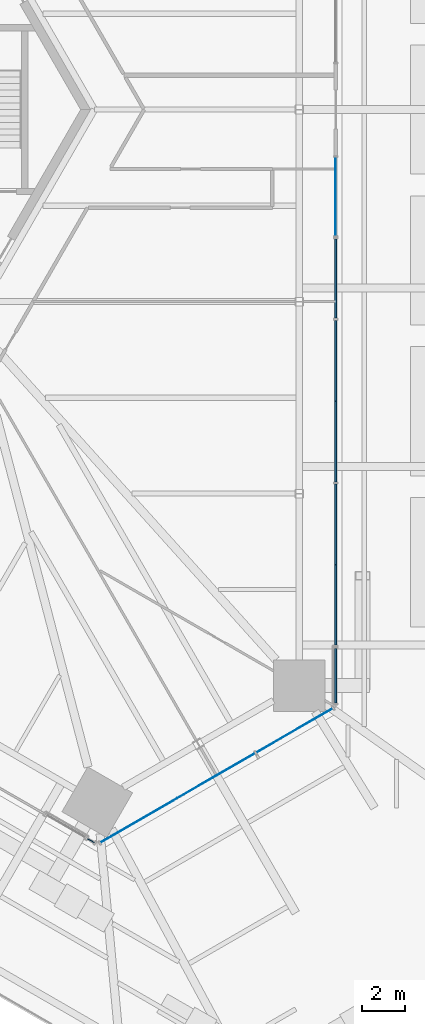
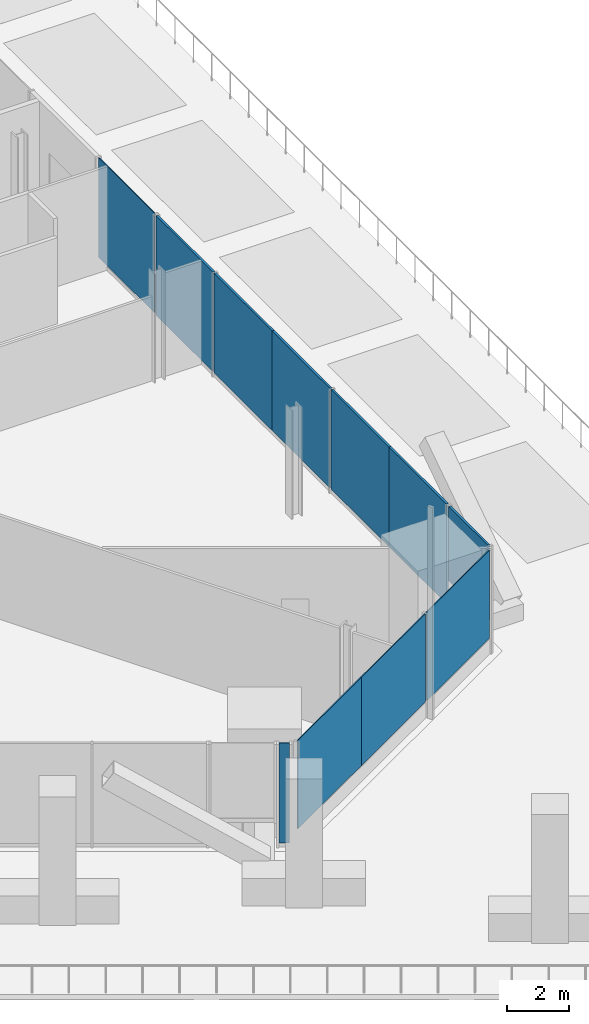
# One storey, part 23 of 38: 11 plates, 5 elements without a shape of their own.
"""IFC4 building model written with IfcOpenShell, lengths in metres."""

from ifc_helpers import new_model, si_unit, direction, frame, origin, origin_2d, place, context, subcontext, project, spatial, rectangle, extrude, source, transform, mapped, material, layer, layer_set, type_object, element, aggregate, save


model = new_model("IFC4")

# Units and contexts
model_context = context("Model", 3, precision=1e-05, world=origin(), true_north=direction((0.0, 1.0)))
body_context = subcontext(model_context, "Body", "Model", "MODEL_VIEW")
ifc_project = project(units=[si_unit("LENGTHUNIT", "METRE"), si_unit("AREAUNIT", "SQUARE_METRE"), si_unit("VOLUMEUNIT", "CUBIC_METRE"), si_unit("PLANEANGLEUNIT", "RADIAN"), si_unit("MASSUNIT", "GRAM", prefix="KILO")], contexts=[model_context])

# Site, building, storey
site_placement = place(None, origin())
site = spatial("IfcSite", under=ifc_project, at=site_placement, CompositionType="ELEMENT")
building_placement = place(site_placement, origin())
building = spatial("IfcBuilding", under=site, at=building_placement, Name="Triune Harvest Tower", CompositionType="ELEMENT")
storey_placement = place(building_placement, frame((0.0, 0.0, 16.0)))
storey = spatial("IfcBuildingStorey", under=building, at=storey_placement, Name="L03", CompositionType="ELEMENT", Elevation=16.0)

# Curtain wall, plate
ifc_material_1 = material(Name="Aluminium bronze anodised", Category="aluminium")
curtain_wall_type_1 = type_object("IfcCurtainWallType", Name="CW-10 Balcony window wall with insulated spandrel infill", PredefinedType="NOTDEFINED", material=ifc_material_1)
curtain_wall_1_placement = place(storey_placement, origin())
curtain_wall_1 = element("IfcCurtainWall", 1, at=curtain_wall_1_placement, inside=storey, type_object=curtain_wall_type_1, Name="CW-10 B1-F1 L03 run 1")
ifc_material_2 = material(Name="Insulated spandrel panel, bronze aluminium pan", Category="aluminium")
ifc_layer_1 = layer(ifc_material_2, 0.080078125)
ifc_layer_set_1 = layer_set([ifc_layer_1], Name="Insulated spandrel panel, bronze aluminium pan")
plate_type_1 = type_object("IfcPlateType", Name="SP-1 insulated spandrel panel 80", PredefinedType="CURTAIN_PANEL", material=ifc_layer_set_1)
plate_1_placement = place(storey_placement, frame((23.371337890625, -26.268798828125, 1.134765625), z_axis=(0.0, 0.0, 1.0), x_axis=(0.0, 1.0, 0.0)))
plate_1 = element("IfcPlate", 2, at=plate_1_placement, type_object=plate_type_1, Name="CW-10 panel B1-F1 1.1", PredefinedType="CURTAIN_PANEL", context=body_context, shape_type="SweptSolid", body=[
    extrude(rectangle(XDim=2.546142578125, YDim=0.080078125, at=origin_2d()), origin(), (0.0, 0.0, 1.0), 2.965087890625),
])
aggregate(curtain_wall_1, [plate_1])

# Curtain wall, plates
curtain_wall_2_placement = place(storey_placement, origin())
curtain_wall_2 = element("IfcCurtainWall", 3, at=curtain_wall_2_placement, inside=storey, type_object=curtain_wall_type_1, Name="CW-10 B1-F1 L03 run 101")
shared_shape_1 = source(origin(), body_context, "Body", "SweptSolid", [
    extrude(rectangle(XDim=3.72314453125, YDim=0.080078125, at=origin_2d()), origin(), (0.0, 0.0, 1.0), 3.949951171875),
])
plate_2_placement = place(storey_placement, frame((23.371337890625, -22.984130859375, 0.14990234375), z_axis=(0.0, 0.0, 1.0), x_axis=(0.0, 1.0, 0.0)))
plate_2 = element("IfcPlate", 4, at=plate_2_placement, type_object=plate_type_1, Name="CW-10 panel B1-F1 101.1", PredefinedType="CURTAIN_PANEL", context=body_context, shape_type="MappedRepresentation", body=[
    mapped(shared_shape_1, transform((0.0, 0.0, 0.0), scale=1.0)),
])
shared_shape_2 = source(origin(), body_context, "Body", "SweptSolid", [
    extrude(rectangle(XDim=3.7607421875, YDim=0.080078125, at=origin_2d()), origin(), (0.0, 0.0, 1.0), 3.949951171875),
])
plate_3_placement = place(storey_placement, frame((23.371337890625, -19.2421875, 0.14990234375), z_axis=(0.0, 0.0, 1.0), x_axis=(0.0, 1.0, 0.0)))
plate_3 = element("IfcPlate", 5, at=plate_3_placement, type_object=plate_type_1, Name="CW-10 panel B1-F1 101.2", PredefinedType="CURTAIN_PANEL", context=body_context, shape_type="MappedRepresentation", body=[
    mapped(shared_shape_2, transform((0.0, 0.0, 0.0), scale=1.0)),
])
plate_4_placement = place(storey_placement, frame((23.371337890625, -15.40625, 0.14990234375), z_axis=(0.0, 0.0, 1.0), x_axis=(0.0, 1.0, 0.0)))
plate_4 = element("IfcPlate", 6, at=plate_4_placement, type_object=plate_type_1, Name="CW-10 panel B1-F1 101.3", PredefinedType="CURTAIN_PANEL", context=body_context, shape_type="MappedRepresentation", body=[
    mapped(shared_shape_2, transform((0.0, 0.0, 0.0), scale=1.0)),
])
plate_5_placement = place(storey_placement, frame((23.371337890625, -11.6455078125, 0.14990234375), z_axis=(0.0, 0.0, 1.0), x_axis=(0.0, 1.0, 0.0)))
plate_5 = element("IfcPlate", 7, at=plate_5_placement, type_object=plate_type_1, Name="CW-10 panel B1-F1 101.4", PredefinedType="CURTAIN_PANEL", context=body_context, shape_type="MappedRepresentation", body=[
    mapped(shared_shape_2, transform((0.0, 0.0, 0.0), scale=1.0)),
])
shared_shape_3 = source(origin(), body_context, "Body", "SweptSolid", [
    extrude(rectangle(XDim=3.685791015625, YDim=0.080078125, at=origin_2d()), origin(), (0.0, 0.0, 1.0), 3.949951171875),
])
plate_6_placement = place(storey_placement, frame((23.371337890625, -7.847412109375, 0.14990234375), z_axis=(0.0, 0.0, 1.0), x_axis=(0.0, 1.0, 0.0)))
plate_6 = element("IfcPlate", 8, at=plate_6_placement, type_object=plate_type_1, Name="CW-10 panel B1-F1 101.5", PredefinedType="CURTAIN_PANEL", context=body_context, shape_type="MappedRepresentation", body=[
    mapped(shared_shape_3, transform((0.0, 0.0, 0.0), scale=1.0)),
])
aggregate(curtain_wall_2, [plate_2, plate_3, plate_4, plate_5, plate_6])

# Curtain wall, plate
ifc_material_3 = material(Name="Aluminium bronze anodised", Category="aluminium")
curtain_wall_type_2 = type_object("IfcCurtainWallType", Name="CW-6 Balcony window wall", PredefinedType="NOTDEFINED", material=ifc_material_3)
curtain_wall_3_placement = place(storey_placement, origin())
curtain_wall_3 = element("IfcCurtainWall", 9, at=curtain_wall_3_placement, inside=storey, type_object=curtain_wall_type_2, Name="CW-6 B1-F1 L03 run 1101")
ifc_material_4 = material(Name="Glass", Category="glass")
ifc_layer_2 = layer(ifc_material_4, 0.030029296875)
ifc_layer_set_2 = layer_set([ifc_layer_2], Name="Glass")
plate_type_2 = type_object("IfcPlateType", Name="GL-6 panel 30", PredefinedType="CURTAIN_PANEL", material=ifc_layer_set_2)
shared_shape_4 = source(origin(), body_context, "Body", "SweptSolid", [
    extrude(rectangle(XDim=3.648193359375, YDim=0.030029296875, at=origin_2d()), origin(), (0.0, 0.0, 1.0), 3.949951171875),
])
plate_7_placement = place(storey_placement, frame((23.371337890625, -4.030517578125, 0.14990234375), z_axis=(0.0, 0.0, 1.0), x_axis=(0.0, 1.0, 0.0)))
plate_7 = element("IfcPlate", 10, at=plate_7_placement, type_object=plate_type_2, Name="CW-6 panel B1-F1 1101.1", PredefinedType="CURTAIN_PANEL", context=body_context, shape_type="MappedRepresentation", body=[
    mapped(shared_shape_4, transform((0.0, 0.0, 0.0), scale=1.0)),
])
aggregate(curtain_wall_3, [plate_7])

# Curtain wall, plates
ifc_material_5 = material(Name="Aluminium bronze anodised", Category="aluminium")
curtain_wall_type_3 = type_object("IfcCurtainWallType", Name="CW-3 Farm floor curtain wall", PredefinedType="NOTDEFINED", material=ifc_material_5)
curtain_wall_4_placement = place(storey_placement, origin())
curtain_wall_4 = element("IfcCurtainWall", 11, at=curtain_wall_4_placement, inside=storey, type_object=curtain_wall_type_3, Name="CW-3 B1-F6 L03 run 1")
ifc_material_6 = material(Name="Glass", Category="glass")
ifc_layer_3 = layer(ifc_material_6, 0.035888671875)
ifc_layer_set_3 = layer_set([ifc_layer_3], Name="Glass")
plate_type_3 = type_object("IfcPlateType", Name="GL-3 panel 36", PredefinedType="CURTAIN_PANEL", material=ifc_layer_set_3)
shared_shape_5 = source(origin(), body_context, "Body", "SweptSolid", [
    extrude(rectangle(XDim=4.117919921875, YDim=0.035888671875, at=origin_2d()), origin(), (0.0, 0.0, 1.0), 3.5),
])
plate_8_placement = place(storey_placement, frame((14.239501953125, -32.979248046875, 0.60009765625), z_axis=(0.0, 0.0, 1.0), x_axis=(0.866026145592, 0.499998715149, 0.0)))
plate_8 = element("IfcPlate", 12, at=plate_8_placement, type_object=plate_type_3, Name="CW-3 panel B1-F6 1.1", PredefinedType="CURTAIN_PANEL", context=body_context, shape_type="MappedRepresentation", body=[
    mapped(shared_shape_5, transform((0.0, 0.0, 0.0), scale=1.0)),
])
shared_shape_6 = source(origin(), body_context, "Body", "SweptSolid", [
    extrude(rectangle(XDim=4.157958984375, YDim=0.035888671875, at=origin_2d()), origin(), (0.0, 0.0, 1.0), 3.5),
])
plate_9_placement = place(storey_placement, frame((17.822998046875, -30.91015625, 0.60009765625), z_axis=(0.0, 0.0, 1.0), x_axis=(0.866026145592, 0.499998715149, 0.0)))
plate_9 = element("IfcPlate", 13, at=plate_9_placement, type_object=plate_type_3, Name="CW-3 panel B1-F6 1.2", PredefinedType="CURTAIN_PANEL", context=body_context, shape_type="MappedRepresentation", body=[
    mapped(shared_shape_6, transform((0.0, 0.0, 0.0), scale=1.0)),
])
shared_shape_7 = source(origin(), body_context, "Body", "SweptSolid", [
    extrude(rectangle(XDim=4.077880859375, YDim=0.035888671875, at=origin_2d()), origin(), (0.0, 0.0, 1.0), 3.5),
])
plate_10_placement = place(storey_placement, frame((21.45849609375, -28.811279296875, 0.60009765625), z_axis=(0.0, 0.0, 1.0), x_axis=(0.866026145592, 0.499998715149, 0.0)))
plate_10 = element("IfcPlate", 14, at=plate_10_placement, type_object=plate_type_3, Name="CW-3 panel B1-F6 1.3", PredefinedType="CURTAIN_PANEL", context=body_context, shape_type="MappedRepresentation", body=[
    mapped(shared_shape_7, transform((0.0, 0.0, 0.0), scale=1.0)),
])
aggregate(curtain_wall_4, [plate_8, plate_9, plate_10])

# Curtain wall, plate
curtain_wall_5_placement = place(storey_placement, origin())
curtain_wall_5 = element("IfcCurtainWall", 15, at=curtain_wall_5_placement, inside=storey, type_object=curtain_wall_type_2, Name="CW-6 B1-F5 L03 run 202")
shared_shape_8 = source(origin(), body_context, "Body", "SweptSolid", [
    extrude(rectangle(XDim=0.351806640625, YDim=0.030029296875, at=origin_2d()), origin(), (0.0, 0.0, 1.0), 3.949951171875),
])
plate_11_placement = place(storey_placement, frame((12.013916015625, -33.923095703125, 0.14990234375), z_axis=(0.0, 0.0, 1.0), x_axis=(0.866039577901, -0.499975448906, 0.0)))
plate_11 = element("IfcPlate", 16, at=plate_11_placement, type_object=plate_type_2, Name="CW-6 panel B1-F5 202.1", PredefinedType="CURTAIN_PANEL", context=body_context, shape_type="MappedRepresentation", body=[
    mapped(shared_shape_8, transform((0.0, 0.0, 0.0), scale=1.0)),
])
aggregate(curtain_wall_5, [plate_11])

save(model, "model.ifc")
